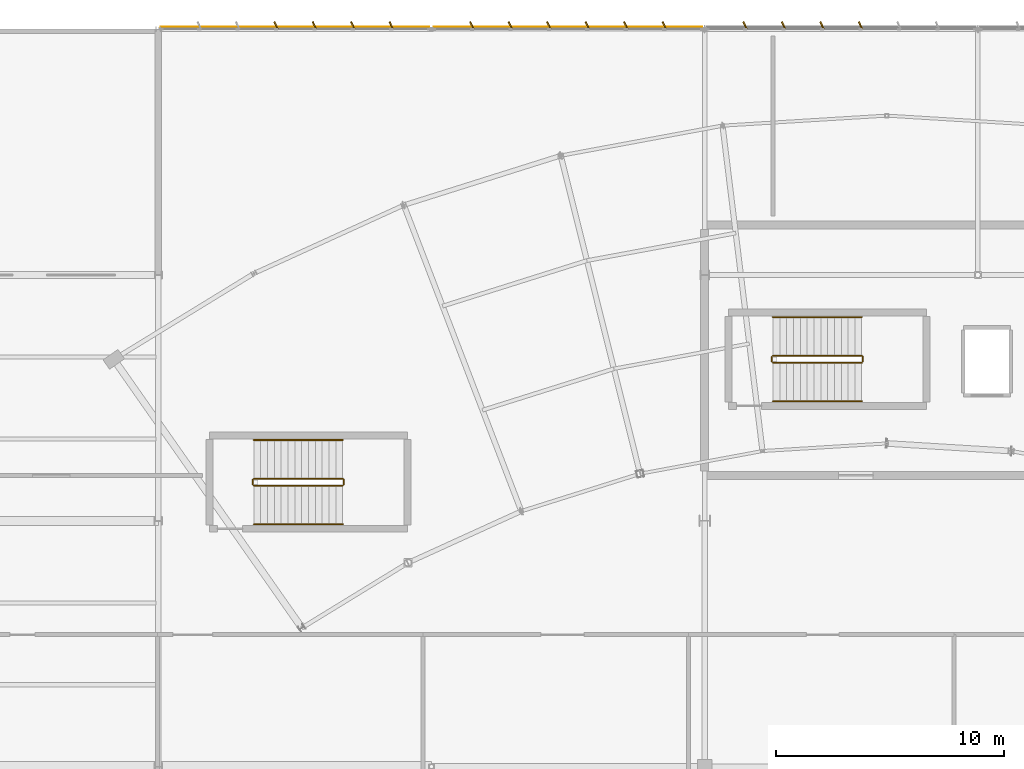
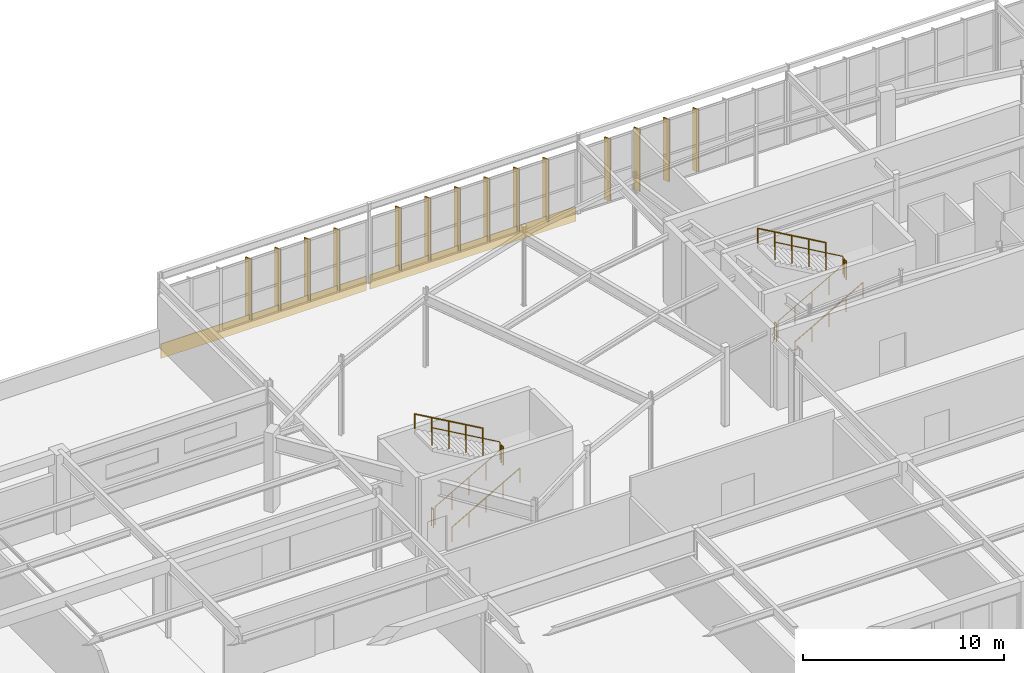
# One storey, part 173 of 186: 14 shading devices, 12 railings, 2 coverings.
"""IFC4 building model written with IfcOpenShell, lengths in metres."""

from ifc_helpers import new_model, si_unit, direction, frame, origin, origin_2d, place, context, subcontext, project, spatial, rectangle, circle, extrude, material, layer, layer_set, type_object, element, save


model = new_model("IFC4")

# Units and contexts
model_context = context("Model", 3, precision=1e-05, world=origin(), true_north=direction((0.0, 1.0)))
body_context = subcontext(model_context, "Body", "Model", "MODEL_VIEW")
ifc_project = project(units=[si_unit("LENGTHUNIT", "METRE"), si_unit("AREAUNIT", "SQUARE_METRE"), si_unit("VOLUMEUNIT", "CUBIC_METRE"), si_unit("PLANEANGLEUNIT", "RADIAN"), si_unit("MASSUNIT", "GRAM", prefix="KILO")], contexts=[model_context])

# Site, building, storey
site_placement = place(None, origin())
site = spatial("IfcSite", under=ifc_project, at=site_placement, CompositionType="ELEMENT")
building_placement = place(site_placement, origin())
building = spatial("IfcBuilding", under=site, at=building_placement, Name="Tarnwether General Hospital", CompositionType="ELEMENT")
storey_placement = place(building_placement, frame((0.0, 0.0, 9.60009765625)))
storey = spatial("IfcBuildingStorey", under=building, at=storey_placement, Name="L02", CompositionType="ELEMENT", Elevation=9.60009765625)

# Coverings
ifc_material_1 = material(Name="Folded zinc-titanium cladding")
ifc_layer_1 = layer(ifc_material_1, 0.0400390625)
ifc_layer_set_1 = layer_set([ifc_layer_1], Name="Folded zinc-titanium cladding")
covering_type = type_object("IfcCoveringType", Name="CV-CLD-ZNC", PredefinedType="CLADDING", material=ifc_layer_set_1)
for number, where, z_axis, x_axis, name in (
    (1, (66.0, 126.090087890625, -0.52001953125), (0.0, 0.0, 1.0), (1.0, 0.0, 0.0), "Diagnostic Base Faceted Zinc Spandrel 083"),
    (2, (78.0, 126.090087890625, -0.52001953125), (0.0, 0.0, 1.0), (1.0, 0.0, 0.0), "Diagnostic Base Faceted Zinc Spandrel 084"),
):
    element("IfcCovering", number, at=place(storey_placement, frame(where, z_axis=z_axis, x_axis=x_axis)), inside=storey, type_object=covering_type, Name=name, PredefinedType="CLADDING", context=body_context, shape_type="SweptSolid", body=[
        extrude(rectangle(XDim=11.800048828125, YDim=0.0400390625, at=origin_2d()), origin(), (0.0, 0.0, 1.0), 0.8798828125),
    ])

# Railings
ifc_material_2 = material(Name="Anodised aluminium", Category="aluminium")
railing_type_1 = type_object("IfcRailingType", Name="RL-GRD-INT", PredefinedType="GUARDRAIL", material=ifc_material_2)
railing_1_placement = place(storey_placement, frame((87.0, 111.35009765625, 0.17138671875)))
element("IfcRailing", 3, at=railing_1_placement, inside=storey, type_object=railing_type_1, Name="L02 ST-01 stair guard 1", PredefinedType="GUARDRAIL", context=body_context, shape_type="SweptSolid", body=[
    extrude(circle(Radius=0.02392578125, at=origin_2d()), frame((0.0, 0.0, 1.076171875), z_axis=(0.868243142124, 0.0, 0.496138938357), x_axis=(0.0, 1.0, 0.0)), (0.0, 0.0, 1.0), 4.49169921875),
    extrude(circle(Radius=0.02099609375, at=origin_2d()), origin(), (0.0, 0.0, 1.0), 1.052001953125),
    extrude(circle(Radius=0.02099609375, at=origin_2d()), frame((0.97509765625, 0.0, 0.55712890625)), (0.0, 0.0, 1.0), 1.052001953125),
    extrude(circle(Radius=0.02099609375, at=origin_2d()), frame((1.949951171875, 0.0, 1.1142578125)), (0.0, 0.0, 1.0), 1.052001953125),
    extrude(circle(Radius=0.02099609375, at=origin_2d()), frame((2.9248046875, 0.0, 1.67138671875)), (0.0, 0.0, 1.0), 1.052001953125),
    extrude(circle(Radius=0.02099609375, at=origin_2d()), frame((3.89990234375, 0.0, 2.228515625)), (0.0, 0.0, 1.0), 1.052001953125),
])
railing_2_placement = place(storey_placement, frame((90.949951171875, 111.39990234375, 2.39990234375)))
element("IfcRailing", 4, at=railing_2_placement, inside=storey, type_object=railing_type_1, Name="L02 ST-01 stair guard 2", PredefinedType="GUARDRAIL", context=body_context, shape_type="SweptSolid", body=[
    extrude(circle(Radius=0.02392578125, at=origin_2d()), frame((0.0, 0.0, 1.076171875), z_axis=(0.0, 1.0, 0.0), x_axis=(-1.0, 0.0, 0.0)), (0.0, 0.0, 1.0), 0.2001953125),
    extrude(circle(Radius=0.02099609375, at=origin_2d()), origin(), (0.0, 0.0, 1.0), 1.052001953125),
    extrude(circle(Radius=0.02099609375, at=origin_2d()), frame((0.0, 0.2001953125, 0.0)), (0.0, 0.0, 1.0), 1.052001953125),
])
railing_3_placement = place(storey_placement, frame((90.89990234375, 111.64990234375, 2.5712890625)))
element("IfcRailing", 5, at=railing_3_placement, inside=storey, type_object=railing_type_1, Name="L02 ST-01 stair guard 3", PredefinedType="GUARDRAIL", context=body_context, shape_type="SweptSolid", body=[
    extrude(circle(Radius=0.02392578125, at=origin_2d()), frame((0.0, 0.0, 1.076171875), z_axis=(-0.868243142124, 0.0, 0.496138938357), x_axis=(0.0, -1.0, 0.0)), (0.0, 0.0, 1.0), 4.49169921875),
    extrude(circle(Radius=0.02099609375, at=origin_2d()), origin(), (0.0, 0.0, 1.0), 1.052001953125),
    extrude(circle(Radius=0.02099609375, at=origin_2d()), frame((-0.97509765625, 0.0, 0.55712890625)), (0.0, 0.0, 1.0), 1.052001953125),
    extrude(circle(Radius=0.02099609375, at=origin_2d()), frame((-1.949951171875, 0.0, 1.1142578125)), (0.0, 0.0, 1.0), 1.052001953125),
    extrude(circle(Radius=0.02099609375, at=origin_2d()), frame((-2.9248046875, 0.0, 1.67138671875)), (0.0, 0.0, 1.0), 1.052001953125),
    extrude(circle(Radius=0.02099609375, at=origin_2d()), frame((-3.89990234375, 0.0, 2.228515625)), (0.0, 0.0, 1.0), 1.052001953125),
])
railing_4_placement = place(storey_placement, frame((86.949951171875, 111.39990234375, 0.0)))
element("IfcRailing", 6, at=railing_4_placement, inside=storey, type_object=railing_type_1, Name="L02 ST-01 stair guard 4", PredefinedType="GUARDRAIL", context=body_context, shape_type="SweptSolid", body=[
    extrude(circle(Radius=0.02392578125, at=origin_2d()), frame((0.0, 0.0, 1.076171875), z_axis=(0.0, 1.0, 0.0), x_axis=(-1.0, 0.0, 0.0)), (0.0, 0.0, 1.0), 0.2001953125),
    extrude(circle(Radius=0.02099609375, at=origin_2d()), origin(), (0.0, 0.0, 1.0), 1.052001953125),
    extrude(circle(Radius=0.02099609375, at=origin_2d()), frame((0.0, 0.2001953125, 0.0)), (0.0, 0.0, 1.0), 1.052001953125),
])
railing_5_placement = place(storey_placement, frame((64.199951171875, 105.949951171875, 0.17138671875)))
element("IfcRailing", 7, at=railing_5_placement, inside=storey, type_object=railing_type_1, Name="L02 ST-07 stair guard 1", PredefinedType="GUARDRAIL", context=body_context, shape_type="SweptSolid", body=[
    extrude(circle(Radius=0.02392578125, at=origin_2d()), frame((0.0, 0.0, 1.076171875), z_axis=(0.868256520506, 0.0, 0.496115525457), x_axis=(0.0, 1.0, 0.0)), (0.0, 0.0, 1.0), 4.491943359375),
    extrude(circle(Radius=0.02099609375, at=origin_2d()), origin(), (0.0, 0.0, 1.0), 1.052001953125),
    extrude(circle(Radius=0.02099609375, at=origin_2d()), frame((0.97509765625, 0.0, 0.55712890625)), (0.0, 0.0, 1.0), 1.052001953125),
    extrude(circle(Radius=0.02099609375, at=origin_2d()), frame((1.9501953125, 0.0, 1.1142578125)), (0.0, 0.0, 1.0), 1.052001953125),
    extrude(circle(Radius=0.02099609375, at=origin_2d()), frame((2.925048828125, 0.0, 1.67138671875)), (0.0, 0.0, 1.0), 1.052001953125),
    extrude(circle(Radius=0.02099609375, at=origin_2d()), frame((3.900146484375, 0.0, 2.228515625)), (0.0, 0.0, 1.0), 1.052001953125),
])
railing_6_placement = place(storey_placement, frame((68.14990234375, 106.0, 2.39990234375)))
element("IfcRailing", 8, at=railing_6_placement, inside=storey, type_object=railing_type_1, Name="L02 ST-07 stair guard 2", PredefinedType="GUARDRAIL", context=body_context, shape_type="SweptSolid", body=[
    extrude(circle(Radius=0.02392578125, at=origin_2d()), frame((0.0, 0.0, 1.076171875), z_axis=(0.0, 1.0, 0.0), x_axis=(-1.0, 0.0, 0.0)), (0.0, 0.0, 1.0), 0.199951171875),
    extrude(circle(Radius=0.02099609375, at=origin_2d()), origin(), (0.0, 0.0, 1.0), 1.052001953125),
    extrude(circle(Radius=0.02099609375, at=origin_2d()), frame((0.0, 0.199951171875, 0.0)), (0.0, 0.0, 1.0), 1.052001953125),
])
railing_7_placement = place(storey_placement, frame((68.10009765625, 106.25, 2.5712890625)))
element("IfcRailing", 9, at=railing_7_placement, inside=storey, type_object=railing_type_1, Name="L02 ST-07 stair guard 3", PredefinedType="GUARDRAIL", context=body_context, shape_type="SweptSolid", body=[
    extrude(circle(Radius=0.02392578125, at=origin_2d()), frame((0.0, 0.0, 1.076171875), z_axis=(-0.868256520506, 0.0, 0.496115525457), x_axis=(0.0, -1.0, 0.0)), (0.0, 0.0, 1.0), 4.491943359375),
    extrude(circle(Radius=0.02099609375, at=origin_2d()), origin(), (0.0, 0.0, 1.0), 1.052001953125),
    extrude(circle(Radius=0.02099609375, at=origin_2d()), frame((-0.97509765625, 0.0, 0.55712890625)), (0.0, 0.0, 1.0), 1.052001953125),
    extrude(circle(Radius=0.02099609375, at=origin_2d()), frame((-1.9501953125, 0.0, 1.1142578125)), (0.0, 0.0, 1.0), 1.052001953125),
    extrude(circle(Radius=0.02099609375, at=origin_2d()), frame((-2.925048828125, 0.0, 1.67138671875)), (0.0, 0.0, 1.0), 1.052001953125),
    extrude(circle(Radius=0.02099609375, at=origin_2d()), frame((-3.900146484375, 0.0, 2.228515625)), (0.0, 0.0, 1.0), 1.052001953125),
])
railing_8_placement = place(storey_placement, frame((64.14990234375, 106.0, 0.0)))
element("IfcRailing", 10, at=railing_8_placement, inside=storey, type_object=railing_type_1, Name="L02 ST-07 stair guard 4", PredefinedType="GUARDRAIL", context=body_context, shape_type="SweptSolid", body=[
    extrude(circle(Radius=0.02392578125, at=origin_2d()), frame((0.0, 0.0, 1.076171875), z_axis=(0.0, 1.0, 0.0), x_axis=(-1.0, 0.0, 0.0)), (0.0, 0.0, 1.0), 0.199951171875),
    extrude(circle(Radius=0.02099609375, at=origin_2d()), origin(), (0.0, 0.0, 1.0), 1.052001953125),
    extrude(circle(Radius=0.02099609375, at=origin_2d()), frame((0.0, 0.199951171875, 0.0)), (0.0, 0.0, 1.0), 1.052001953125),
])
ifc_material_3 = material(Name="Anodised aluminium", Category="aluminium")
railing_type_2 = type_object("IfcRailingType", Name="RL-HND-INT", PredefinedType="HANDRAIL", material=ifc_material_3)
railing_9_placement = place(storey_placement, frame((87.0, 109.64990234375, 0.17138671875)))
element("IfcRailing", 11, at=railing_9_placement, inside=storey, type_object=railing_type_2, Name="L02 ST-01 stair handrail 1", PredefinedType="HANDRAIL", context=body_context, shape_type="SweptSolid", body=[
    extrude(circle(Radius=0.02392578125, at=origin_2d()), frame((0.0, 0.0, 0.8759765625), z_axis=(0.868243142124, 0.0, 0.496138938357), x_axis=(0.0, 1.0, 0.0)), (0.0, 0.0, 1.0), 4.49169921875),
    extrude(circle(Radius=0.02099609375, at=origin_2d()), origin(), (0.0, 0.0, 1.0), 0.851806640625),
    extrude(circle(Radius=0.02099609375, at=origin_2d()), frame((0.97509765625, 0.0, 0.55712890625)), (0.0, 0.0, 1.0), 0.851806640625),
    extrude(circle(Radius=0.02099609375, at=origin_2d()), frame((1.949951171875, 0.0, 1.1142578125)), (0.0, 0.0, 1.0), 0.851806640625),
    extrude(circle(Radius=0.02099609375, at=origin_2d()), frame((2.9248046875, 0.0, 1.67138671875)), (0.0, 0.0, 1.0), 0.851806640625),
    extrude(circle(Radius=0.02099609375, at=origin_2d()), frame((3.89990234375, 0.0, 2.228515625)), (0.0, 0.0, 1.0), 0.851806640625),
])
railing_10_placement = place(storey_placement, frame((90.89990234375, 113.35009765625, 2.5712890625)))
element("IfcRailing", 12, at=railing_10_placement, inside=storey, type_object=railing_type_2, Name="L02 ST-01 stair handrail 2", PredefinedType="HANDRAIL", context=body_context, shape_type="SweptSolid", body=[
    extrude(circle(Radius=0.02392578125, at=origin_2d()), frame((0.0, 0.0, 0.8759765625), z_axis=(-0.868243142124, 0.0, 0.496138938357), x_axis=(0.0, -1.0, 0.0)), (0.0, 0.0, 1.0), 4.49169921875),
    extrude(circle(Radius=0.02099609375, at=origin_2d()), origin(), (0.0, 0.0, 1.0), 0.851806640625),
    extrude(circle(Radius=0.02099609375, at=origin_2d()), frame((-0.97509765625, 0.0, 0.55712890625)), (0.0, 0.0, 1.0), 0.851806640625),
    extrude(circle(Radius=0.02099609375, at=origin_2d()), frame((-1.949951171875, 0.0, 1.1142578125)), (0.0, 0.0, 1.0), 0.851806640625),
    extrude(circle(Radius=0.02099609375, at=origin_2d()), frame((-2.9248046875, 0.0, 1.67138671875)), (0.0, 0.0, 1.0), 0.851806640625),
    extrude(circle(Radius=0.02099609375, at=origin_2d()), frame((-3.89990234375, 0.0, 2.228515625)), (0.0, 0.0, 1.0), 0.851806640625),
])
railing_11_placement = place(storey_placement, frame((64.199951171875, 104.25, 0.17138671875)))
element("IfcRailing", 13, at=railing_11_placement, inside=storey, type_object=railing_type_2, Name="L02 ST-07 stair handrail 1", PredefinedType="HANDRAIL", context=body_context, shape_type="SweptSolid", body=[
    extrude(circle(Radius=0.02392578125, at=origin_2d()), frame((0.0, 0.0, 0.8759765625), z_axis=(0.868256520506, 0.0, 0.496115525457), x_axis=(0.0, 1.0, 0.0)), (0.0, 0.0, 1.0), 4.491943359375),
    extrude(circle(Radius=0.02099609375, at=origin_2d()), origin(), (0.0, 0.0, 1.0), 0.851806640625),
    extrude(circle(Radius=0.02099609375, at=origin_2d()), frame((0.97509765625, 0.0, 0.55712890625)), (0.0, 0.0, 1.0), 0.851806640625),
    extrude(circle(Radius=0.02099609375, at=origin_2d()), frame((1.9501953125, 0.0, 1.1142578125)), (0.0, 0.0, 1.0), 0.851806640625),
    extrude(circle(Radius=0.02099609375, at=origin_2d()), frame((2.925048828125, 0.0, 1.67138671875)), (0.0, 0.0, 1.0), 0.851806640625),
    extrude(circle(Radius=0.02099609375, at=origin_2d()), frame((3.900146484375, 0.0, 2.228515625)), (0.0, 0.0, 1.0), 0.851806640625),
])
railing_12_placement = place(storey_placement, frame((68.10009765625, 107.949951171875, 2.5712890625)))
element("IfcRailing", 14, at=railing_12_placement, inside=storey, type_object=railing_type_2, Name="L02 ST-07 stair handrail 2", PredefinedType="HANDRAIL", context=body_context, shape_type="SweptSolid", body=[
    extrude(circle(Radius=0.02392578125, at=origin_2d()), frame((0.0, 0.0, 0.8759765625), z_axis=(-0.868256520506, 0.0, 0.496115525457), x_axis=(0.0, -1.0, 0.0)), (0.0, 0.0, 1.0), 4.491943359375),
    extrude(circle(Radius=0.02099609375, at=origin_2d()), origin(), (0.0, 0.0, 1.0), 0.851806640625),
    extrude(circle(Radius=0.02099609375, at=origin_2d()), frame((-0.97509765625, 0.0, 0.55712890625)), (0.0, 0.0, 1.0), 0.851806640625),
    extrude(circle(Radius=0.02099609375, at=origin_2d()), frame((-1.9501953125, 0.0, 1.1142578125)), (0.0, 0.0, 1.0), 0.851806640625),
    extrude(circle(Radius=0.02099609375, at=origin_2d()), frame((-2.925048828125, 0.0, 1.67138671875)), (0.0, 0.0, 1.0), 0.851806640625),
    extrude(circle(Radius=0.02099609375, at=origin_2d()), frame((-3.900146484375, 0.0, 2.228515625)), (0.0, 0.0, 1.0), 0.851806640625),
])

# Shading devices
ifc_material_4 = material(Name="Champagne-bronze anodised aluminium", Category="aluminium")
ifc_layer_2 = layer(ifc_material_4, 0.06005859375)
ifc_layer_set_2 = layer_set([ifc_layer_2], Name="Champagne-bronze anodised aluminium")
shading_device_type = type_object("IfcShadingDeviceType", Name="SH-FIN-BRZ", PredefinedType="USERDEFINED", material=ifc_layer_set_2)
for number, where, z_axis, x_axis, name in (
    (15, (65.172119140625, 126.159912109375, 0.050048828125), (0.0, 0.0, 1.0), (0.906307787037, 0.422618261741, 0.0), "Champagne-Bronze Brise-Soleil Fin 0382"),
    (16, (66.85791015625, 126.159912109375, 0.050048828125), (0.0, 0.0, 1.0), (0.906307787037, 0.422618261741, 0.0), "Champagne-Bronze Brise-Soleil Fin 0383"),
    (17, (68.5439453125, 126.159912109375, 0.050048828125), (0.0, 0.0, 1.0), (0.906307787037, 0.422618261741, 0.0), "Champagne-Bronze Brise-Soleil Fin 0384"),
    (18, (70.23095703125, 126.159912109375, 0.050048828125), (0.0, 0.0, 1.0), (0.906307787037, 0.422618261741, 0.0), "Champagne-Bronze Brise-Soleil Fin 0385"),
):
    element("IfcShadingDevice", number, at=place(storey_placement, frame(where, z_axis=z_axis, x_axis=x_axis)), inside=storey, type_object=shading_device_type, Name=name, ObjectType="SOLAR FIN", PredefinedType="USERDEFINED", context=body_context, shape_type="SweptSolid", body=[
        extrude(rectangle(XDim=0.06005859375, YDim=0.360107421875, at=origin_2d()), origin(), (0.0, 0.0, 1.0), 3.712890625),
    ])
for number, where, z_axis, x_axis, name in (
    (19, (73.77392578125, 126.159912109375, 0.0498046875), (0.0, 0.0, 1.0), (0.906307787037, 0.422618261741, 0.0), "Champagne-Bronze Brise-Soleil Fin 0386"),
    (20, (75.464111328125, 126.159912109375, 0.0498046875), (0.0, 0.0, 1.0), (0.906307787037, 0.422618261741, 0.0), "Champagne-Bronze Brise-Soleil Fin 0387"),
    (21, (77.155029296875, 126.159912109375, 0.0498046875), (0.0, 0.0, 1.0), (0.906307787037, 0.422618261741, 0.0), "Champagne-Bronze Brise-Soleil Fin 0388"),
    (22, (78.844970703125, 126.159912109375, 0.0498046875), (0.0, 0.0, 1.0), (0.906307787037, 0.422618261741, 0.0), "Champagne-Bronze Brise-Soleil Fin 0389"),
    (23, (80.535888671875, 126.159912109375, 0.0498046875), (0.0, 0.0, 1.0), (0.906307787037, 0.422618261741, 0.0), "Champagne-Bronze Brise-Soleil Fin 0390"),
    (24, (82.22607421875, 126.159912109375, 0.0498046875), (0.0, 0.0, 1.0), (0.906307787037, 0.422618261741, 0.0), "Champagne-Bronze Brise-Soleil Fin 0391"),
    (25, (85.77294921875, 126.159912109375, 0.0498046875), (0.0, 0.0, 1.0), (0.906307787037, 0.422618261741, 0.0), "Champagne-Bronze Brise-Soleil Fin 0392"),
    (26, (87.464111328125, 126.159912109375, 0.0498046875), (0.0, 0.0, 1.0), (0.906307787037, 0.422618261741, 0.0), "Champagne-Bronze Brise-Soleil Fin 0393"),
    (27, (89.154052734375, 126.159912109375, 0.0498046875), (0.0, 0.0, 1.0), (0.906307787037, 0.422618261741, 0.0), "Champagne-Bronze Brise-Soleil Fin 0394"),
    (28, (90.843994140625, 126.159912109375, 0.0498046875), (0.0, 0.0, 1.0), (0.906307787037, 0.422618261741, 0.0), "Champagne-Bronze Brise-Soleil Fin 0395"),
):
    element("IfcShadingDevice", number, at=place(storey_placement, frame(where, z_axis=z_axis, x_axis=x_axis)), inside=storey, type_object=shading_device_type, Name=name, ObjectType="SOLAR FIN", PredefinedType="USERDEFINED", context=body_context, shape_type="SweptSolid", body=[
        extrude(rectangle(XDim=0.06005859375, YDim=0.360107421875, at=origin_2d()), origin(), (0.0, 0.0, 1.0), 3.787109375),
    ])

save(model, "model.ifc")
